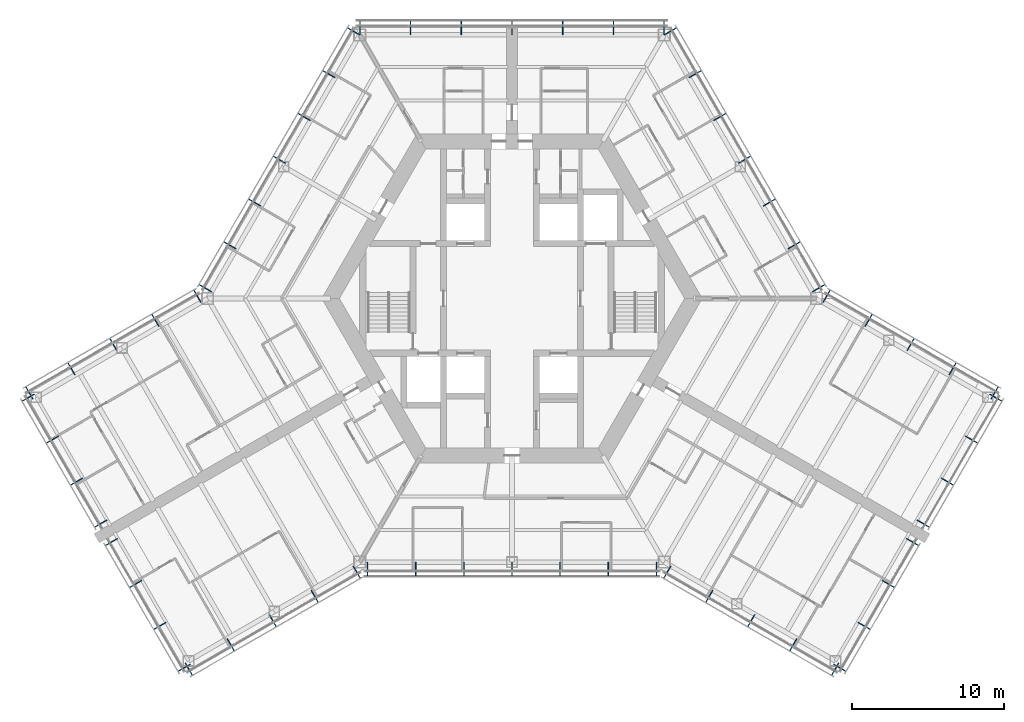
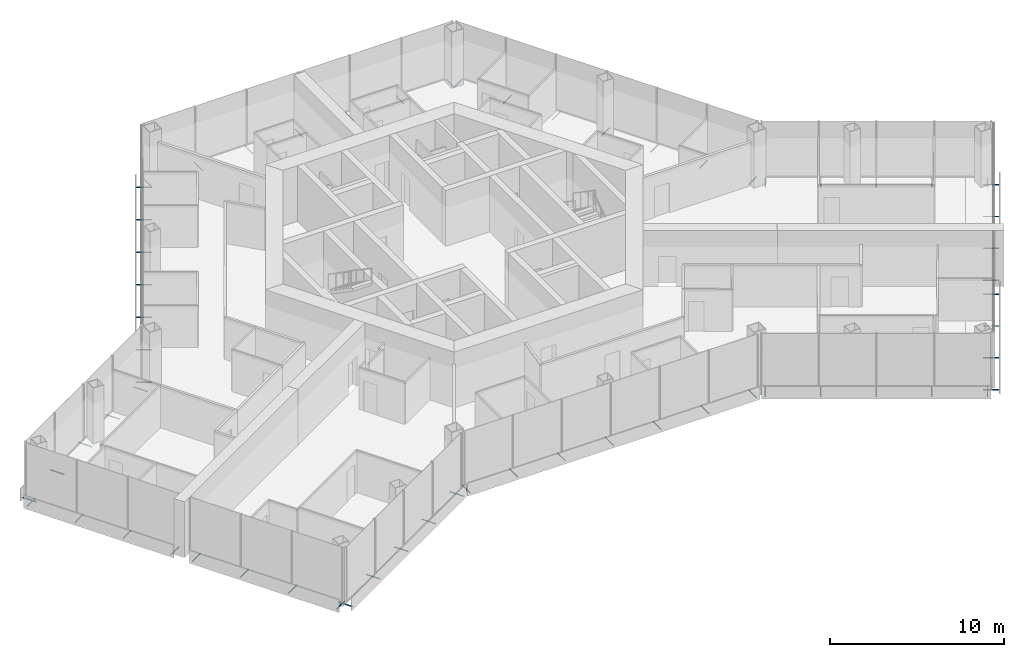
# One storey, part 17 of 19: 64 discrete accessories.
"""IFC4 building model written with IfcOpenShell, lengths in metres."""

from ifc_helpers import new_model, si_unit, direction, frame, origin, origin_2d, place, context, subcontext, project, spatial, hollow_circle, extrude, material, material_profile, profile_set, type_object, element, save


model = new_model("IFC4")

# Units and contexts
model_context = context("Model", 3, precision=1e-05, world=origin(), true_north=direction((0.0, 1.0)))
body_context = subcontext(model_context, "Body", "Model", "MODEL_VIEW")
ifc_project = project(units=[si_unit("LENGTHUNIT", "METRE"), si_unit("AREAUNIT", "SQUARE_METRE"), si_unit("VOLUMEUNIT", "CUBIC_METRE"), si_unit("PLANEANGLEUNIT", "RADIAN"), si_unit("MASSUNIT", "GRAM", prefix="KILO")], contexts=[model_context])

# Site, building, storey
site_placement = place(None, origin())
site = spatial("IfcSite", under=ifc_project, at=site_placement, CompositionType="ELEMENT")
building_placement = place(site_placement, origin())
building = spatial("IfcBuilding", under=site, at=building_placement, Name="Kasaneha Research Tower", CompositionType="ELEMENT")
storey_placement = place(building_placement, frame((0.0, 0.0, 156.5)))
storey = spatial("IfcBuildingStorey", under=building, at=storey_placement, Name="L39", CompositionType="ELEMENT", Elevation=156.5)

# Discrete accessories
ifc_material = material(Name="Steel STK400", Category="steel")
ifc_material_profile = material_profile(ifc_material, hollow_circle(Radius=0.0380859375, WallThickness=0.00390625, at=origin_2d()), Name="CHS-76.3x4.0")
ifc_profile_set = profile_set([ifc_material_profile], Name="Steel STK400")
discrete_accessory_type = type_object("IfcDiscreteAccessoryType", Name="Screen bracket CHS-76.3x4.0", PredefinedType="BRACKET", material=ifc_profile_set)
for number, where, z_axis, x_axis, name in (
    (1, (-9.4892578125, -17.320556640625, -0.300048828125), (0.0, -1.0, 0.0), (1.0, 0.0, 0.0), "Screen bracket 1"),
    (2, (-6.326171875, -17.320556640625, -0.300048828125), (0.0, -1.0, 0.0), (1.0, 0.0, 0.0), "Screen bracket 2"),
    (3, (-3.1630859375, -17.320556640625, -0.300048828125), (0.0, -1.0, 0.0), (1.0, 0.0, 0.0), "Screen bracket 3"),
    (4, (0.0, -17.320556640625, -0.300048828125), (0.0, -1.0, 0.0), (1.0, 0.0, 0.0), "Screen bracket 4"),
    (5, (3.1630859375, -17.320556640625, -0.300048828125), (0.0, -1.0, 0.0), (1.0, 0.0, 0.0), "Screen bracket 5"),
    (6, (6.326171875, -17.320556640625, -0.300048828125), (0.0, -1.0, 0.0), (1.0, 0.0, 0.0), "Screen bracket 6"),
    (7, (9.4892578125, -17.320556640625, -0.300048828125), (0.0, -1.0, 0.0), (1.0, 0.0, 0.0), "Screen bracket 7"),
    (8, (10.4423828125, -17.575927734375, -0.300048828125), (-0.500021113727, -0.866013213425, 0.0), (0.866013213425, -0.500021113727, 0.0), "Screen bracket 1"),
):
    element("IfcDiscreteAccessory", number, at=place(storey_placement, frame(where, z_axis=z_axis, x_axis=x_axis)), inside=storey, type_object=discrete_accessory_type, Name=name, PredefinedType="BRACKET", context=body_context, shape_type="SweptSolid", body=[
        extrude(hollow_circle(Radius=0.0380859375, WallThickness=0.00390625, at=origin_2d()), origin(), (0.0, 0.0, 1.0), 0.919921875),
    ])
discrete_accessory_1_placement = place(storey_placement, frame((13.200439453125, -19.168212890625, -0.300048828125), z_axis=(-0.499906209203, -0.866079547155, 0.0), x_axis=(0.866079547155, -0.499906209203, 0.0)))
element("IfcDiscreteAccessory", 9, at=discrete_accessory_1_placement, inside=storey, type_object=discrete_accessory_type, Name="Screen bracket 2", PredefinedType="BRACKET", context=body_context, shape_type="SweptSolid", body=[
    extrude(hollow_circle(Radius=0.0380859375, WallThickness=0.00390625, at=origin_2d()), origin(), (0.0, 0.0, 1.0), 0.920166015625),
])
discrete_accessory_2_placement = place(storey_placement, frame((15.95849609375, -20.7607421875, -0.300048828125), z_axis=(-0.500021113727, -0.866013213425, 0.0), x_axis=(0.866013213425, -0.500021113727, 0.0)))
element("IfcDiscreteAccessory", 10, at=discrete_accessory_2_placement, inside=storey, type_object=discrete_accessory_type, Name="Screen bracket 3", PredefinedType="BRACKET", context=body_context, shape_type="SweptSolid", body=[
    extrude(hollow_circle(Radius=0.0380859375, WallThickness=0.00390625, at=origin_2d()), origin(), (0.0, 0.0, 1.0), 0.919921875),
])
discrete_accessory_3_placement = place(storey_placement, frame((18.716796875, -22.35302734375, -0.300048828125), z_axis=(-0.500105201737, -0.865964657013, 0.0), x_axis=(0.865964657013, -0.500105201737, 0.0)))
element("IfcDiscreteAccessory", 11, at=discrete_accessory_3_placement, inside=storey, type_object=discrete_accessory_type, Name="Screen bracket 4", PredefinedType="BRACKET", context=body_context, shape_type="SweptSolid", body=[
    extrude(hollow_circle(Radius=0.0380859375, WallThickness=0.00390625, at=origin_2d()), origin(), (0.0, 0.0, 1.0), 0.920166015625),
])
discrete_accessory_4_placement = place(storey_placement, frame((21.474853515625, -23.945556640625, -0.300048828125), z_axis=(-0.500021113727, -0.866013213425, 0.0), x_axis=(0.866013213425, -0.500021113727, 0.0)))
element("IfcDiscreteAccessory", 12, at=discrete_accessory_4_placement, inside=storey, type_object=discrete_accessory_type, Name="Screen bracket 5", PredefinedType="BRACKET", context=body_context, shape_type="SweptSolid", body=[
    extrude(hollow_circle(Radius=0.0380859375, WallThickness=0.00390625, at=origin_2d()), origin(), (0.0, 0.0, 1.0), 0.919921875),
])
discrete_accessory_5_placement = place(storey_placement, frame((21.13330078125, -24.037109375, -0.300048828125), z_axis=(0.866079547155, -0.499906209203, 0.0), x_axis=(0.499906209203, 0.866079547155, 0.0)))
element("IfcDiscreteAccessory", 13, at=discrete_accessory_5_placement, inside=storey, type_object=discrete_accessory_type, Name="Screen bracket 1", PredefinedType="BRACKET", context=body_context, shape_type="SweptSolid", body=[
    extrude(hollow_circle(Radius=0.0380859375, WallThickness=0.00390625, at=origin_2d()), origin(), (0.0, 0.0, 1.0), 0.920166015625),
])
discrete_accessory_6_placement = place(storey_placement, frame((22.72509765625, -21.2802734375, -0.300048828125), z_axis=(0.866013213425, -0.500021113727, 0.0), x_axis=(0.500021113727, 0.866013213425, 0.0)))
element("IfcDiscreteAccessory", 14, at=discrete_accessory_6_placement, inside=storey, type_object=discrete_accessory_type, Name="Screen bracket 2", PredefinedType="BRACKET", context=body_context, shape_type="SweptSolid", body=[
    extrude(hollow_circle(Radius=0.0380859375, WallThickness=0.00390625, at=origin_2d()), origin(), (0.0, 0.0, 1.0), 0.919921875),
])
discrete_accessory_7_placement = place(storey_placement, frame((24.316650390625, -18.5234375, -0.300048828125), z_axis=(0.866079547155, -0.499906209203, 0.0), x_axis=(0.499906209203, 0.866079547155, 0.0)))
element("IfcDiscreteAccessory", 15, at=discrete_accessory_7_placement, inside=storey, type_object=discrete_accessory_type, Name="Screen bracket 3", PredefinedType="BRACKET", context=body_context, shape_type="SweptSolid", body=[
    extrude(hollow_circle(Radius=0.0380859375, WallThickness=0.00390625, at=origin_2d()), origin(), (0.0, 0.0, 1.0), 0.920166015625),
])
for number, where, z_axis, x_axis, name in (
    (16, (25.908447265625, -15.766357421875, -0.300048828125), (0.865898279276, -0.500220121494, 0.0), (0.500220121494, 0.865898279276, 0.0), "Screen bracket 4"),
    (17, (26.6083984375, -14.553955078125, -0.300048828125), (0.866013213425, -0.500021113727, 0.0), (0.500021113727, 0.866013213425, 0.0), "Screen bracket 1"),
):
    element("IfcDiscreteAccessory", number, at=place(storey_placement, frame(where, z_axis=z_axis, x_axis=x_axis)), inside=storey, type_object=discrete_accessory_type, Name=name, PredefinedType="BRACKET", context=body_context, shape_type="SweptSolid", body=[
        extrude(hollow_circle(Radius=0.0380859375, WallThickness=0.00390625, at=origin_2d()), origin(), (0.0, 0.0, 1.0), 0.919921875),
    ])
discrete_accessory_8_placement = place(storey_placement, frame((28.199951171875, -11.797119140625, -0.300048828125), z_axis=(0.866079547155, -0.499906209203, 0.0), x_axis=(0.499906209203, 0.866079547155, 0.0)))
element("IfcDiscreteAccessory", 18, at=discrete_accessory_8_placement, inside=storey, type_object=discrete_accessory_type, Name="Screen bracket 2", PredefinedType="BRACKET", context=body_context, shape_type="SweptSolid", body=[
    extrude(hollow_circle(Radius=0.0380859375, WallThickness=0.00390625, at=origin_2d()), origin(), (0.0, 0.0, 1.0), 0.920166015625),
])
discrete_accessory_9_placement = place(storey_placement, frame((29.791748046875, -9.040283203125, -0.300048828125), z_axis=(0.866013213425, -0.500021113727, 0.0), x_axis=(0.500021113727, 0.866013213425, 0.0)))
element("IfcDiscreteAccessory", 19, at=discrete_accessory_9_placement, inside=storey, type_object=discrete_accessory_type, Name="Screen bracket 3", PredefinedType="BRACKET", context=body_context, shape_type="SweptSolid", body=[
    extrude(hollow_circle(Radius=0.0380859375, WallThickness=0.00390625, at=origin_2d()), origin(), (0.0, 0.0, 1.0), 0.919921875),
])
discrete_accessory_10_placement = place(storey_placement, frame((31.38330078125, -6.283447265625, -0.300048828125), z_axis=(0.866079547155, -0.499906209203, 0.0), x_axis=(0.499906209203, 0.866079547155, 0.0)))
element("IfcDiscreteAccessory", 20, at=discrete_accessory_10_placement, inside=storey, type_object=discrete_accessory_type, Name="Screen bracket 4", PredefinedType="BRACKET", context=body_context, shape_type="SweptSolid", body=[
    extrude(hollow_circle(Radius=0.0380859375, WallThickness=0.00390625, at=origin_2d()), origin(), (0.0, 0.0, 1.0), 0.920166015625),
])
discrete_accessory_11_placement = place(storey_placement, frame((31.474853515625, -6.625, -0.300048828125), z_axis=(0.500021113727, 0.866013213425, 0.0), x_axis=(-0.866013213425, 0.500021113727, 0.0)))
element("IfcDiscreteAccessory", 21, at=discrete_accessory_11_placement, inside=storey, type_object=discrete_accessory_type, Name="Screen bracket 1", PredefinedType="BRACKET", context=body_context, shape_type="SweptSolid", body=[
    extrude(hollow_circle(Radius=0.0380859375, WallThickness=0.00390625, at=origin_2d()), origin(), (0.0, 0.0, 1.0), 0.919921875),
])
discrete_accessory_12_placement = place(storey_placement, frame((28.716796875, -5.03271484375, -0.300048828125), z_axis=(0.499906209203, 0.866079547155, 0.0), x_axis=(-0.866079547155, 0.499906209203, 0.0)))
element("IfcDiscreteAccessory", 22, at=discrete_accessory_12_placement, inside=storey, type_object=discrete_accessory_type, Name="Screen bracket 2", PredefinedType="BRACKET", context=body_context, shape_type="SweptSolid", body=[
    extrude(hollow_circle(Radius=0.0380859375, WallThickness=0.00390625, at=origin_2d()), origin(), (0.0, 0.0, 1.0), 0.920166015625),
])
discrete_accessory_13_placement = place(storey_placement, frame((25.95849609375, -3.440185546875, -0.300048828125), z_axis=(0.500220121494, 0.865898279276, 0.0), x_axis=(-0.865898279276, 0.500220121494, 0.0)))
element("IfcDiscreteAccessory", 23, at=discrete_accessory_13_placement, inside=storey, type_object=discrete_accessory_type, Name="Screen bracket 3", PredefinedType="BRACKET", context=body_context, shape_type="SweptSolid", body=[
    extrude(hollow_circle(Radius=0.0380859375, WallThickness=0.00390625, at=origin_2d()), origin(), (0.0, 0.0, 1.0), 0.919921875),
])
discrete_accessory_14_placement = place(storey_placement, frame((23.200439453125, -1.847900390625, -0.300048828125), z_axis=(0.499906209203, 0.866079547155, 0.0), x_axis=(-0.866079547155, 0.499906209203, 0.0)))
element("IfcDiscreteAccessory", 24, at=discrete_accessory_14_placement, inside=storey, type_object=discrete_accessory_type, Name="Screen bracket 4", PredefinedType="BRACKET", context=body_context, shape_type="SweptSolid", body=[
    extrude(hollow_circle(Radius=0.0380859375, WallThickness=0.00390625, at=origin_2d()), origin(), (0.0, 0.0, 1.0), 0.920166015625),
])
for number, where, z_axis, x_axis, name in (
    (25, (20.4423828125, -0.25537109375, -0.300048828125), (0.500021113727, 0.866013213425, 0.0), (-0.866013213425, 0.500021113727, 0.0), "Screen bracket 5"),
    (26, (19.74462890625, 0.4423828125, -0.300048828125), (0.866013213425, 0.500021113727, 0.0), (-0.500021113727, 0.866013213425, 0.0), "Screen bracket 1"),
    (27, (18.120849609375, 3.2548828125, -0.300048828125), (0.866013213425, 0.500021113727, 0.0), (-0.500021113727, 0.866013213425, 0.0), "Screen bracket 2"),
    (28, (16.4970703125, 6.0673828125, -0.300048828125), (0.866013213425, 0.500021113727, 0.0), (-0.500021113727, 0.866013213425, 0.0), "Screen bracket 3"),
    (29, (14.873291015625, 8.8798828125, -0.300048828125), (0.866013213425, 0.500021113727, 0.0), (-0.500021113727, 0.866013213425, 0.0), "Screen bracket 4"),
    (30, (13.24951171875, 11.6923828125, -0.300048828125), (0.866013213425, 0.500021113727, 0.0), (-0.500021113727, 0.866013213425, 0.0), "Screen bracket 5"),
):
    element("IfcDiscreteAccessory", number, at=place(storey_placement, frame(where, z_axis=z_axis, x_axis=x_axis)), inside=storey, type_object=discrete_accessory_type, Name=name, PredefinedType="BRACKET", context=body_context, shape_type="SweptSolid", body=[
        extrude(hollow_circle(Radius=0.0380859375, WallThickness=0.00390625, at=origin_2d()), origin(), (0.0, 0.0, 1.0), 0.919921875),
    ])
for number, where, z_axis, x_axis, name in (
    (31, (11.62548828125, 14.5048828125, -0.300048828125), (0.866079547155, 0.499906209203, 0.0), (-0.499906209203, 0.866079547155, 0.0), "Screen bracket 6"),
    (32, (10.001708984375, 17.3173828125, -0.300048828125), (0.866079547155, 0.499906209203, 0.0), (-0.499906209203, 0.866079547155, 0.0), "Screen bracket 7"),
):
    element("IfcDiscreteAccessory", number, at=place(storey_placement, frame(where, z_axis=z_axis, x_axis=x_axis)), inside=storey, type_object=discrete_accessory_type, Name=name, PredefinedType="BRACKET", context=body_context, shape_type="SweptSolid", body=[
        extrude(hollow_circle(Radius=0.0380859375, WallThickness=0.00390625, at=origin_2d()), origin(), (0.0, 0.0, 1.0), 0.920166015625),
    ])
for number, where, z_axis, x_axis, name in (
    (33, (9.996337890625, 17.320556640625, -0.300048828125), (0.0, 1.0, 0.0), (-1.0, 0.0, 0.0), "Screen bracket 1"),
    (34, (6.664306640625, 17.320556640625, -0.300048828125), (0.0, 1.0, 0.0), (-1.0, 0.0, 0.0), "Screen bracket 2"),
    (35, (3.33203125, 17.320556640625, -0.300048828125), (0.0, 1.0, 0.0), (-1.0, 0.0, 0.0), "Screen bracket 3"),
    (36, (0.0, 17.320556640625, -0.300048828125), (0.0, 1.0, 0.0), (-1.0, 0.0, 0.0), "Screen bracket 4"),
    (37, (-3.33203125, 17.320556640625, -0.300048828125), (0.0, 1.0, 0.0), (-1.0, 0.0, 0.0), "Screen bracket 5"),
    (38, (-6.664306640625, 17.320556640625, -0.300048828125), (0.0, 1.0, 0.0), (-1.0, 0.0, 0.0), "Screen bracket 6"),
    (39, (-9.996337890625, 17.320556640625, -0.300048828125), (0.0, 1.0, 0.0), (-1.0, 0.0, 0.0), "Screen bracket 7"),
):
    element("IfcDiscreteAccessory", number, at=place(storey_placement, frame(where, z_axis=z_axis, x_axis=x_axis)), inside=storey, type_object=discrete_accessory_type, Name=name, PredefinedType="BRACKET", context=body_context, shape_type="SweptSolid", body=[
        extrude(hollow_circle(Radius=0.0380859375, WallThickness=0.00390625, at=origin_2d()), origin(), (0.0, 0.0, 1.0), 0.919921875),
    ])
for number, where, z_axis, x_axis, name in (
    (40, (-10.001708984375, 17.3173828125, -0.300048828125), (-0.866079547155, 0.499906209203, 0.0), (-0.499906209203, -0.866079547155, 0.0), "Screen bracket 1"),
    (41, (-11.62548828125, 14.5048828125, -0.300048828125), (-0.866079547155, 0.499906209203, 0.0), (-0.499906209203, -0.866079547155, 0.0), "Screen bracket 2"),
):
    element("IfcDiscreteAccessory", number, at=place(storey_placement, frame(where, z_axis=z_axis, x_axis=x_axis)), inside=storey, type_object=discrete_accessory_type, Name=name, PredefinedType="BRACKET", context=body_context, shape_type="SweptSolid", body=[
        extrude(hollow_circle(Radius=0.0380859375, WallThickness=0.00390625, at=origin_2d()), origin(), (0.0, 0.0, 1.0), 0.920166015625),
    ])
for number, where, z_axis, x_axis, name in (
    (42, (-13.24951171875, 11.6923828125, -0.300048828125), (-0.866013213425, 0.500021113727, 0.0), (-0.500021113727, -0.866013213425, 0.0), "Screen bracket 3"),
    (43, (-14.873291015625, 8.8798828125, -0.300048828125), (-0.866013213425, 0.500021113727, 0.0), (-0.500021113727, -0.866013213425, 0.0), "Screen bracket 4"),
    (44, (-16.4970703125, 6.0673828125, -0.300048828125), (-0.866013213425, 0.500021113727, 0.0), (-0.500021113727, -0.866013213425, 0.0), "Screen bracket 5"),
    (45, (-18.120849609375, 3.2548828125, -0.300048828125), (-0.866013213425, 0.500021113727, 0.0), (-0.500021113727, -0.866013213425, 0.0), "Screen bracket 6"),
    (46, (-19.74462890625, 0.4423828125, -0.300048828125), (-0.866013213425, 0.500021113727, 0.0), (-0.500021113727, -0.866013213425, 0.0), "Screen bracket 7"),
    (47, (-20.4423828125, -0.25537109375, -0.300048828125), (-0.500021113727, 0.866013213425, 0.0), (-0.866013213425, -0.500021113727, 0.0), "Screen bracket 1"),
):
    element("IfcDiscreteAccessory", number, at=place(storey_placement, frame(where, z_axis=z_axis, x_axis=x_axis)), inside=storey, type_object=discrete_accessory_type, Name=name, PredefinedType="BRACKET", context=body_context, shape_type="SweptSolid", body=[
        extrude(hollow_circle(Radius=0.0380859375, WallThickness=0.00390625, at=origin_2d()), origin(), (0.0, 0.0, 1.0), 0.919921875),
    ])
discrete_accessory_15_placement = place(storey_placement, frame((-23.200439453125, -1.847900390625, -0.300048828125), z_axis=(-0.499906209203, 0.866079547155, 0.0), x_axis=(-0.866079547155, -0.499906209203, 0.0)))
element("IfcDiscreteAccessory", 48, at=discrete_accessory_15_placement, inside=storey, type_object=discrete_accessory_type, Name="Screen bracket 2", PredefinedType="BRACKET", context=body_context, shape_type="SweptSolid", body=[
    extrude(hollow_circle(Radius=0.0380859375, WallThickness=0.00390625, at=origin_2d()), origin(), (0.0, 0.0, 1.0), 0.920166015625),
])
discrete_accessory_16_placement = place(storey_placement, frame((-25.95849609375, -3.440185546875, -0.300048828125), z_axis=(-0.500220121494, 0.865898279276, 0.0), x_axis=(-0.865898279276, -0.500220121494, 0.0)))
element("IfcDiscreteAccessory", 49, at=discrete_accessory_16_placement, inside=storey, type_object=discrete_accessory_type, Name="Screen bracket 3", PredefinedType="BRACKET", context=body_context, shape_type="SweptSolid", body=[
    extrude(hollow_circle(Radius=0.0380859375, WallThickness=0.00390625, at=origin_2d()), origin(), (0.0, 0.0, 1.0), 0.919921875),
])
discrete_accessory_17_placement = place(storey_placement, frame((-28.716796875, -5.03271484375, -0.300048828125), z_axis=(-0.499906209203, 0.866079547155, 0.0), x_axis=(-0.866079547155, -0.499906209203, 0.0)))
element("IfcDiscreteAccessory", 50, at=discrete_accessory_17_placement, inside=storey, type_object=discrete_accessory_type, Name="Screen bracket 4", PredefinedType="BRACKET", context=body_context, shape_type="SweptSolid", body=[
    extrude(hollow_circle(Radius=0.0380859375, WallThickness=0.00390625, at=origin_2d()), origin(), (0.0, 0.0, 1.0), 0.920166015625),
])
discrete_accessory_18_placement = place(storey_placement, frame((-31.474853515625, -6.625, -0.300048828125), z_axis=(-0.500021113727, 0.866013213425, 0.0), x_axis=(-0.866013213425, -0.500021113727, 0.0)))
element("IfcDiscreteAccessory", 51, at=discrete_accessory_18_placement, inside=storey, type_object=discrete_accessory_type, Name="Screen bracket 5", PredefinedType="BRACKET", context=body_context, shape_type="SweptSolid", body=[
    extrude(hollow_circle(Radius=0.0380859375, WallThickness=0.00390625, at=origin_2d()), origin(), (0.0, 0.0, 1.0), 0.919921875),
])
discrete_accessory_19_placement = place(storey_placement, frame((-31.38330078125, -6.283447265625, -0.300048828125), z_axis=(-0.866079547155, -0.499906209203, 0.0), x_axis=(0.499906209203, -0.866079547155, 0.0)))
element("IfcDiscreteAccessory", 52, at=discrete_accessory_19_placement, inside=storey, type_object=discrete_accessory_type, Name="Screen bracket 1", PredefinedType="BRACKET", context=body_context, shape_type="SweptSolid", body=[
    extrude(hollow_circle(Radius=0.0380859375, WallThickness=0.00390625, at=origin_2d()), origin(), (0.0, 0.0, 1.0), 0.920166015625),
])
discrete_accessory_20_placement = place(storey_placement, frame((-29.791748046875, -9.040283203125, -0.300048828125), z_axis=(-0.866013213425, -0.500021113727, 0.0), x_axis=(0.500021113727, -0.866013213425, 0.0)))
element("IfcDiscreteAccessory", 53, at=discrete_accessory_20_placement, inside=storey, type_object=discrete_accessory_type, Name="Screen bracket 2", PredefinedType="BRACKET", context=body_context, shape_type="SweptSolid", body=[
    extrude(hollow_circle(Radius=0.0380859375, WallThickness=0.00390625, at=origin_2d()), origin(), (0.0, 0.0, 1.0), 0.919921875),
])
discrete_accessory_21_placement = place(storey_placement, frame((-28.199951171875, -11.797119140625, -0.300048828125), z_axis=(-0.866079547155, -0.499906209203, 0.0), x_axis=(0.499906209203, -0.866079547155, 0.0)))
element("IfcDiscreteAccessory", 54, at=discrete_accessory_21_placement, inside=storey, type_object=discrete_accessory_type, Name="Screen bracket 3", PredefinedType="BRACKET", context=body_context, shape_type="SweptSolid", body=[
    extrude(hollow_circle(Radius=0.0380859375, WallThickness=0.00390625, at=origin_2d()), origin(), (0.0, 0.0, 1.0), 0.920166015625),
])
for number, where, z_axis, x_axis, name in (
    (55, (-26.6083984375, -14.553955078125, -0.300048828125), (-0.866013213425, -0.500021113727, 0.0), (0.500021113727, -0.866013213425, 0.0), "Screen bracket 4"),
    (56, (-25.908447265625, -15.766357421875, -0.300048828125), (-0.865898279276, -0.500220121494, 0.0), (0.500220121494, -0.865898279276, 0.0), "Screen bracket 1"),
):
    element("IfcDiscreteAccessory", number, at=place(storey_placement, frame(where, z_axis=z_axis, x_axis=x_axis)), inside=storey, type_object=discrete_accessory_type, Name=name, PredefinedType="BRACKET", context=body_context, shape_type="SweptSolid", body=[
        extrude(hollow_circle(Radius=0.0380859375, WallThickness=0.00390625, at=origin_2d()), origin(), (0.0, 0.0, 1.0), 0.919921875),
    ])
discrete_accessory_22_placement = place(storey_placement, frame((-24.316650390625, -18.5234375, -0.300048828125), z_axis=(-0.866079547155, -0.499906209203, 0.0), x_axis=(0.499906209203, -0.866079547155, 0.0)))
element("IfcDiscreteAccessory", 57, at=discrete_accessory_22_placement, inside=storey, type_object=discrete_accessory_type, Name="Screen bracket 2", PredefinedType="BRACKET", context=body_context, shape_type="SweptSolid", body=[
    extrude(hollow_circle(Radius=0.0380859375, WallThickness=0.00390625, at=origin_2d()), origin(), (0.0, 0.0, 1.0), 0.920166015625),
])
discrete_accessory_23_placement = place(storey_placement, frame((-22.72509765625, -21.2802734375, -0.300048828125), z_axis=(-0.866013213425, -0.500021113727, 0.0), x_axis=(0.500021113727, -0.866013213425, 0.0)))
element("IfcDiscreteAccessory", 58, at=discrete_accessory_23_placement, inside=storey, type_object=discrete_accessory_type, Name="Screen bracket 3", PredefinedType="BRACKET", context=body_context, shape_type="SweptSolid", body=[
    extrude(hollow_circle(Radius=0.0380859375, WallThickness=0.00390625, at=origin_2d()), origin(), (0.0, 0.0, 1.0), 0.919921875),
])
discrete_accessory_24_placement = place(storey_placement, frame((-21.13330078125, -24.037109375, -0.300048828125), z_axis=(-0.866079547155, -0.499906209203, 0.0), x_axis=(0.499906209203, -0.866079547155, 0.0)))
element("IfcDiscreteAccessory", 59, at=discrete_accessory_24_placement, inside=storey, type_object=discrete_accessory_type, Name="Screen bracket 4", PredefinedType="BRACKET", context=body_context, shape_type="SweptSolid", body=[
    extrude(hollow_circle(Radius=0.0380859375, WallThickness=0.00390625, at=origin_2d()), origin(), (0.0, 0.0, 1.0), 0.920166015625),
])
discrete_accessory_25_placement = place(storey_placement, frame((-21.474853515625, -23.945556640625, -0.300048828125), z_axis=(0.500021113727, -0.866013213425, 0.0), x_axis=(0.866013213425, 0.500021113727, 0.0)))
element("IfcDiscreteAccessory", 60, at=discrete_accessory_25_placement, inside=storey, type_object=discrete_accessory_type, Name="Screen bracket 1", PredefinedType="BRACKET", context=body_context, shape_type="SweptSolid", body=[
    extrude(hollow_circle(Radius=0.0380859375, WallThickness=0.00390625, at=origin_2d()), origin(), (0.0, 0.0, 1.0), 0.919921875),
])
discrete_accessory_26_placement = place(storey_placement, frame((-18.716796875, -22.35302734375, -0.300048828125), z_axis=(0.500105201737, -0.865964657013, 0.0), x_axis=(0.865964657013, 0.500105201737, 0.0)))
element("IfcDiscreteAccessory", 61, at=discrete_accessory_26_placement, inside=storey, type_object=discrete_accessory_type, Name="Screen bracket 2", PredefinedType="BRACKET", context=body_context, shape_type="SweptSolid", body=[
    extrude(hollow_circle(Radius=0.0380859375, WallThickness=0.00390625, at=origin_2d()), origin(), (0.0, 0.0, 1.0), 0.920166015625),
])
discrete_accessory_27_placement = place(storey_placement, frame((-15.95849609375, -20.7607421875, -0.300048828125), z_axis=(0.500021113727, -0.866013213425, 0.0), x_axis=(0.866013213425, 0.500021113727, 0.0)))
element("IfcDiscreteAccessory", 62, at=discrete_accessory_27_placement, inside=storey, type_object=discrete_accessory_type, Name="Screen bracket 3", PredefinedType="BRACKET", context=body_context, shape_type="SweptSolid", body=[
    extrude(hollow_circle(Radius=0.0380859375, WallThickness=0.00390625, at=origin_2d()), origin(), (0.0, 0.0, 1.0), 0.919921875),
])
discrete_accessory_28_placement = place(storey_placement, frame((-13.200439453125, -19.168212890625, -0.300048828125), z_axis=(0.499906209203, -0.866079547155, 0.0), x_axis=(0.866079547155, 0.499906209203, 0.0)))
element("IfcDiscreteAccessory", 63, at=discrete_accessory_28_placement, inside=storey, type_object=discrete_accessory_type, Name="Screen bracket 4", PredefinedType="BRACKET", context=body_context, shape_type="SweptSolid", body=[
    extrude(hollow_circle(Radius=0.0380859375, WallThickness=0.00390625, at=origin_2d()), origin(), (0.0, 0.0, 1.0), 0.920166015625),
])
discrete_accessory_29_placement = place(storey_placement, frame((-10.4423828125, -17.575927734375, -0.300048828125), z_axis=(0.500021113727, -0.866013213425, 0.0), x_axis=(0.866013213425, 0.500021113727, 0.0)))
element("IfcDiscreteAccessory", 64, at=discrete_accessory_29_placement, inside=storey, type_object=discrete_accessory_type, Name="Screen bracket 5", PredefinedType="BRACKET", context=body_context, shape_type="SweptSolid", body=[
    extrude(hollow_circle(Radius=0.0380859375, WallThickness=0.00390625, at=origin_2d()), origin(), (0.0, 0.0, 1.0), 0.919921875),
])

save(model, "model.ifc")
